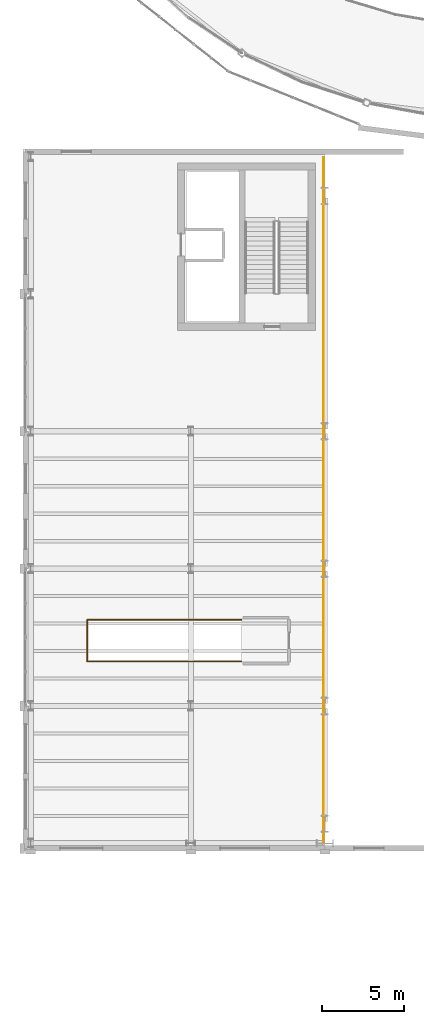
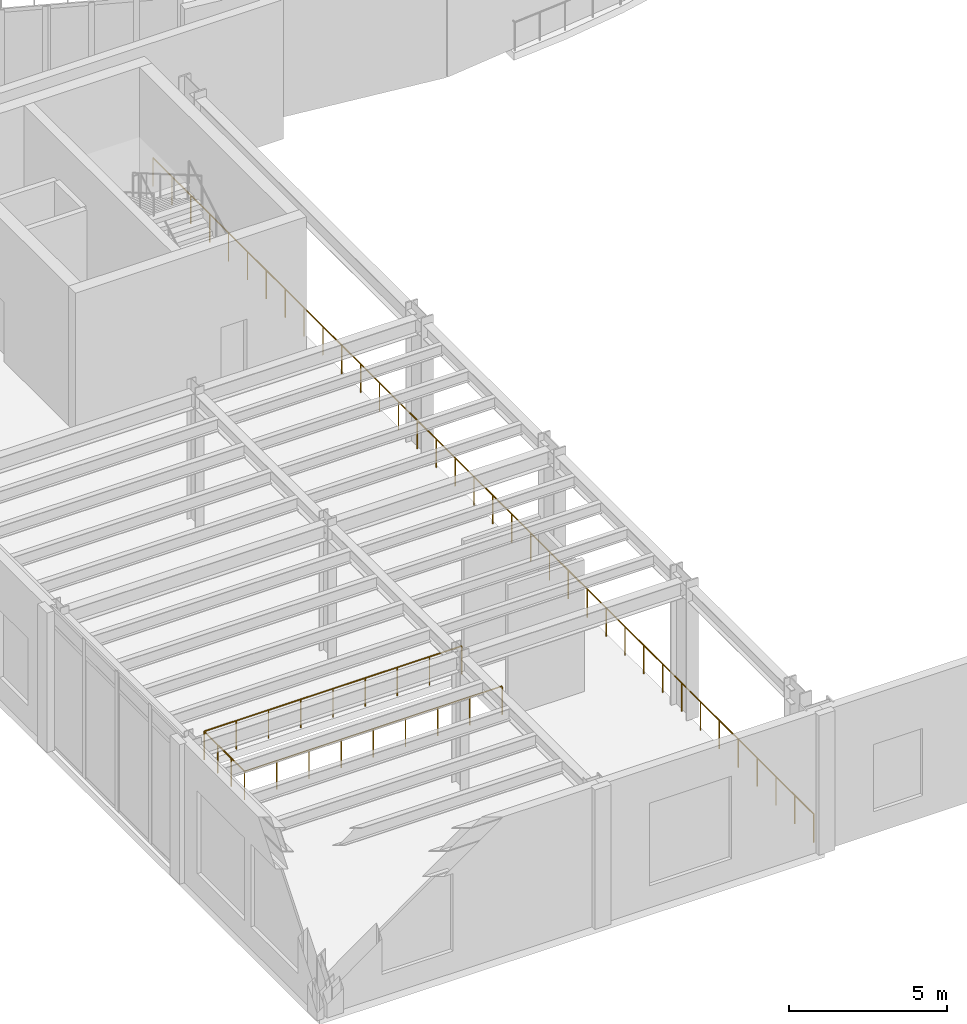
# One storey, part 87 of 98: 2 railings.
"""IFC4 building model written with IfcOpenShell, lengths in metres."""

from ifc_helpers import new_model, si_unit, direction, frame, origin, origin_2d, place, context, subcontext, project, spatial, circle, extrude, material, type_object, element, save


model = new_model("IFC4")

# Units and contexts
model_context = context("Model", 3, precision=1e-05, world=origin(), true_north=direction((0.0, 1.0)))
body_context = subcontext(model_context, "Body", "Model", "MODEL_VIEW")
ifc_project = project(units=[si_unit("LENGTHUNIT", "METRE"), si_unit("AREAUNIT", "SQUARE_METRE"), si_unit("VOLUMEUNIT", "CUBIC_METRE"), si_unit("PLANEANGLEUNIT", "RADIAN"), si_unit("MASSUNIT", "GRAM", prefix="KILO")], contexts=[model_context])

# Site, building, storey
site_placement = place(None, origin())
site = spatial("IfcSite", under=ifc_project, at=site_placement, CompositionType="ELEMENT")
building_placement = place(site_placement, origin())
building = spatial("IfcBuilding", under=site, at=building_placement, Name="Sollismere Congress Hotel", CompositionType="ELEMENT")
storey_placement = place(building_placement, frame((0.0, 0.0, 5.39990234375)))
storey = spatial("IfcBuildingStorey", under=building, at=storey_placement, Name="L01", CompositionType="ELEMENT", Elevation=5.39990234375)

# Railings
ifc_material = material(Name="Steel ASTM A500 Grade C", Category="steel")
railing_type = type_object("IfcRailingType", Name="RL-GRD112", PredefinedType="GUARDRAIL", material=ifc_material)
railing_1_placement = place(storey_placement, frame((12.89990234375, 35.919921875, 0.0)))
element("IfcRailing", 1, at=railing_1_placement, inside=storey, type_object=railing_type, Name="RLG-GDA-L01-003", PredefinedType="GUARDRAIL", context=body_context, shape_type="SweptSolid", body=[
    extrude(circle(Radius=0.02392578125, at=origin_2d()), frame((0.0, 0.0, 1.09619140625), z_axis=(-1.0, 0.0, 0.0), x_axis=(0.0, -1.0, 0.0)), (0.0, 0.0, 1.0), 9.429931640625),
    extrude(circle(Radius=0.02392578125, at=origin_2d()), frame((-9.429931640625, 0.0, 1.09619140625), z_axis=(0.0, 1.0, 0.0), x_axis=(-1.0, 0.0, 0.0)), (0.0, 0.0, 1.0), 2.56005859375),
    extrude(circle(Radius=0.02392578125, at=origin_2d()), frame((-9.429931640625, 2.56005859375, 1.09619140625), z_axis=(1.0, 0.0, 0.0), x_axis=(0.0, 1.0, 0.0)), (0.0, 0.0, 1.0), 9.429931640625),
    extrude(circle(Radius=0.02099609375, at=origin_2d()), origin(), (0.0, 0.0, 1.0), 1.072021484375),
    extrude(circle(Radius=0.02099609375, at=origin_2d()), frame((-1.1787109375, 0.0, 0.0)), (0.0, 0.0, 1.0), 1.072021484375),
    extrude(circle(Radius=0.02099609375, at=origin_2d()), frame((-2.357421875, 0.0, 0.0)), (0.0, 0.0, 1.0), 1.072021484375),
    extrude(circle(Radius=0.02099609375, at=origin_2d()), frame((-3.5361328125, 0.0, 0.0)), (0.0, 0.0, 1.0), 1.072021484375),
    extrude(circle(Radius=0.02099609375, at=origin_2d()), frame((-4.71484375, 0.0, 0.0)), (0.0, 0.0, 1.0), 1.072021484375),
    extrude(circle(Radius=0.02099609375, at=origin_2d()), frame((-5.893798828125, 0.0, 0.0)), (0.0, 0.0, 1.0), 1.072021484375),
    extrude(circle(Radius=0.02099609375, at=origin_2d()), frame((-7.072509765625, 0.0, 0.0)), (0.0, 0.0, 1.0), 1.072021484375),
    extrude(circle(Radius=0.02099609375, at=origin_2d()), frame((-8.251220703125, 0.0, 0.0)), (0.0, 0.0, 1.0), 1.072021484375),
    extrude(circle(Radius=0.02099609375, at=origin_2d()), frame((-9.429931640625, 0.0, 0.0)), (0.0, 0.0, 1.0), 1.072021484375),
    extrude(circle(Radius=0.02099609375, at=origin_2d()), frame((-9.429931640625, 0.853271484375, 0.0)), (0.0, 0.0, 1.0), 1.072021484375),
    extrude(circle(Radius=0.02099609375, at=origin_2d()), frame((-9.429931640625, 1.706787109375, 0.0)), (0.0, 0.0, 1.0), 1.072021484375),
    extrude(circle(Radius=0.02099609375, at=origin_2d()), frame((-9.429931640625, 2.56005859375, 0.0)), (0.0, 0.0, 1.0), 1.072021484375),
    extrude(circle(Radius=0.02099609375, at=origin_2d()), frame((-8.251220703125, 2.56005859375, 0.0)), (0.0, 0.0, 1.0), 1.072021484375),
    extrude(circle(Radius=0.02099609375, at=origin_2d()), frame((-7.072509765625, 2.56005859375, 0.0)), (0.0, 0.0, 1.0), 1.072021484375),
    extrude(circle(Radius=0.02099609375, at=origin_2d()), frame((-5.893798828125, 2.56005859375, 0.0)), (0.0, 0.0, 1.0), 1.072021484375),
    extrude(circle(Radius=0.02099609375, at=origin_2d()), frame((-4.71484375, 2.56005859375, 0.0)), (0.0, 0.0, 1.0), 1.072021484375),
    extrude(circle(Radius=0.02099609375, at=origin_2d()), frame((-3.5361328125, 2.56005859375, 0.0)), (0.0, 0.0, 1.0), 1.072021484375),
    extrude(circle(Radius=0.02099609375, at=origin_2d()), frame((-2.357421875, 2.56005859375, 0.0)), (0.0, 0.0, 1.0), 1.072021484375),
    extrude(circle(Radius=0.02099609375, at=origin_2d()), frame((-1.1787109375, 2.56005859375, 0.0)), (0.0, 0.0, 1.0), 1.072021484375),
    extrude(circle(Radius=0.02099609375, at=origin_2d()), frame((0.0, 2.56005859375, 0.0)), (0.0, 0.0, 1.0), 1.072021484375),
])
railing_2_placement = place(storey_placement, frame((17.919921875, 24.85009765625, 0.0)))
element("IfcRailing", 2, at=railing_2_placement, inside=storey, type_object=railing_type, Name="RLG-GDA-L01-082", PredefinedType="GUARDRAIL", context=body_context, shape_type="SweptSolid", body=[
    extrude(circle(Radius=0.02392578125, at=origin_2d()), frame((0.0, 0.0, 1.09619140625), z_axis=(0.0, 1.0, 0.0), x_axis=(-1.0, 0.0, 0.0)), (0.0, 0.0, 1.0), 41.89990234375),
    extrude(circle(Radius=0.02099609375, at=origin_2d()), origin(), (0.0, 0.0, 1.0), 1.072021484375),
    extrude(circle(Radius=0.02099609375, at=origin_2d()), frame((0.0, 1.197021484375, 0.0)), (0.0, 0.0, 1.0), 1.072021484375),
    extrude(circle(Radius=0.02099609375, at=origin_2d()), frame((0.0, 2.394287109375, 0.0)), (0.0, 0.0, 1.0), 1.072021484375),
    extrude(circle(Radius=0.02099609375, at=origin_2d()), frame((0.0, 3.59130859375, 0.0)), (0.0, 0.0, 1.0), 1.072021484375),
    extrude(circle(Radius=0.02099609375, at=origin_2d()), frame((0.0, 4.78857421875, 0.0)), (0.0, 0.0, 1.0), 1.072021484375),
    extrude(circle(Radius=0.02099609375, at=origin_2d()), frame((0.0, 5.985595703125, 0.0)), (0.0, 0.0, 1.0), 1.072021484375),
    extrude(circle(Radius=0.02099609375, at=origin_2d()), frame((0.0, 7.182861328125, 0.0)), (0.0, 0.0, 1.0), 1.072021484375),
    extrude(circle(Radius=0.02099609375, at=origin_2d()), frame((0.0, 8.3798828125, 0.0)), (0.0, 0.0, 1.0), 1.072021484375),
    extrude(circle(Radius=0.02099609375, at=origin_2d()), frame((0.0, 9.5771484375, 0.0)), (0.0, 0.0, 1.0), 1.072021484375),
    extrude(circle(Radius=0.02099609375, at=origin_2d()), frame((0.0, 10.774169921875, 0.0)), (0.0, 0.0, 1.0), 1.072021484375),
    extrude(circle(Radius=0.02099609375, at=origin_2d()), frame((0.0, 11.971435546875, 0.0)), (0.0, 0.0, 1.0), 1.072021484375),
    extrude(circle(Radius=0.02099609375, at=origin_2d()), frame((0.0, 13.16845703125, 0.0)), (0.0, 0.0, 1.0), 1.072021484375),
    extrude(circle(Radius=0.02099609375, at=origin_2d()), frame((0.0, 14.36572265625, 0.0)), (0.0, 0.0, 1.0), 1.072021484375),
    extrude(circle(Radius=0.02099609375, at=origin_2d()), frame((0.0, 15.562744140625, 0.0)), (0.0, 0.0, 1.0), 1.072021484375),
    extrude(circle(Radius=0.02099609375, at=origin_2d()), frame((0.0, 16.760009765625, 0.0)), (0.0, 0.0, 1.0), 1.072021484375),
    extrude(circle(Radius=0.02099609375, at=origin_2d()), frame((0.0, 17.95703125, 0.0)), (0.0, 0.0, 1.0), 1.072021484375),
    extrude(circle(Radius=0.02099609375, at=origin_2d()), frame((0.0, 19.154296875, 0.0)), (0.0, 0.0, 1.0), 1.072021484375),
    extrude(circle(Radius=0.02099609375, at=origin_2d()), frame((0.0, 20.351318359375, 0.0)), (0.0, 0.0, 1.0), 1.072021484375),
    extrude(circle(Radius=0.02099609375, at=origin_2d()), frame((0.0, 21.548583984375, 0.0)), (0.0, 0.0, 1.0), 1.072021484375),
    extrude(circle(Radius=0.02099609375, at=origin_2d()), frame((0.0, 22.74560546875, 0.0)), (0.0, 0.0, 1.0), 1.072021484375),
    extrude(circle(Radius=0.02099609375, at=origin_2d()), frame((0.0, 23.94287109375, 0.0)), (0.0, 0.0, 1.0), 1.072021484375),
    extrude(circle(Radius=0.02099609375, at=origin_2d()), frame((0.0, 25.139892578125, 0.0)), (0.0, 0.0, 1.0), 1.072021484375),
    extrude(circle(Radius=0.02099609375, at=origin_2d()), frame((0.0, 26.337158203125, 0.0)), (0.0, 0.0, 1.0), 1.072021484375),
    extrude(circle(Radius=0.02099609375, at=origin_2d()), frame((0.0, 27.5341796875, 0.0)), (0.0, 0.0, 1.0), 1.072021484375),
    extrude(circle(Radius=0.02099609375, at=origin_2d()), frame((0.0, 28.7314453125, 0.0)), (0.0, 0.0, 1.0), 1.072021484375),
    extrude(circle(Radius=0.02099609375, at=origin_2d()), frame((0.0, 29.928466796875, 0.0)), (0.0, 0.0, 1.0), 1.072021484375),
    extrude(circle(Radius=0.02099609375, at=origin_2d()), frame((0.0, 31.125732421875, 0.0)), (0.0, 0.0, 1.0), 1.072021484375),
    extrude(circle(Radius=0.02099609375, at=origin_2d()), frame((0.0, 32.32275390625, 0.0)), (0.0, 0.0, 1.0), 1.072021484375),
    extrude(circle(Radius=0.02099609375, at=origin_2d()), frame((0.0, 33.52001953125, 0.0)), (0.0, 0.0, 1.0), 1.072021484375),
    extrude(circle(Radius=0.02099609375, at=origin_2d()), frame((0.0, 34.717041015625, 0.0)), (0.0, 0.0, 1.0), 1.072021484375),
    extrude(circle(Radius=0.02099609375, at=origin_2d()), frame((0.0, 35.914306640625, 0.0)), (0.0, 0.0, 1.0), 1.072021484375),
    extrude(circle(Radius=0.02099609375, at=origin_2d()), frame((0.0, 37.111328125, 0.0)), (0.0, 0.0, 1.0), 1.072021484375),
    extrude(circle(Radius=0.02099609375, at=origin_2d()), frame((0.0, 38.30859375, 0.0)), (0.0, 0.0, 1.0), 1.072021484375),
    extrude(circle(Radius=0.02099609375, at=origin_2d()), frame((0.0, 39.505615234375, 0.0)), (0.0, 0.0, 1.0), 1.072021484375),
    extrude(circle(Radius=0.02099609375, at=origin_2d()), frame((0.0, 40.702880859375, 0.0)), (0.0, 0.0, 1.0), 1.072021484375),
    extrude(circle(Radius=0.02099609375, at=origin_2d()), frame((0.0, 41.89990234375, 0.0)), (0.0, 0.0, 1.0), 1.072021484375),
])

save(model, "model.ifc")
